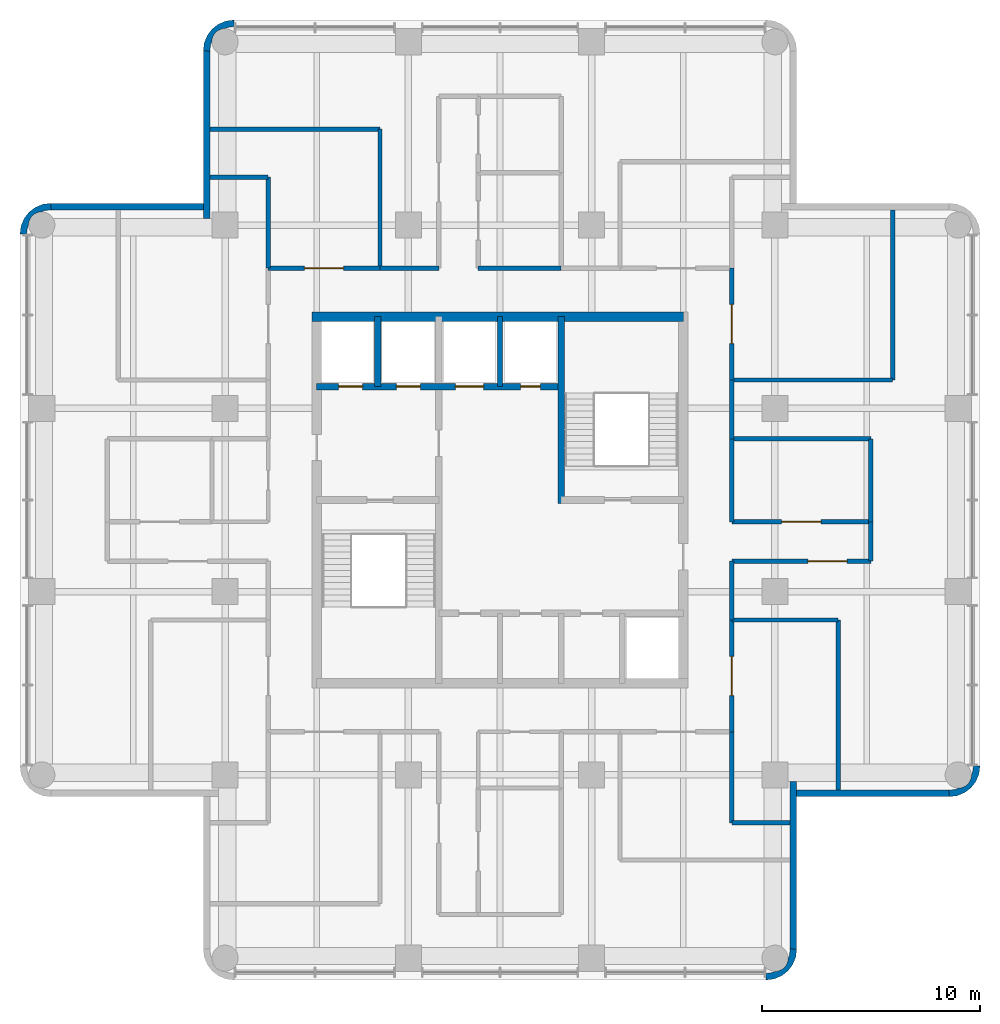
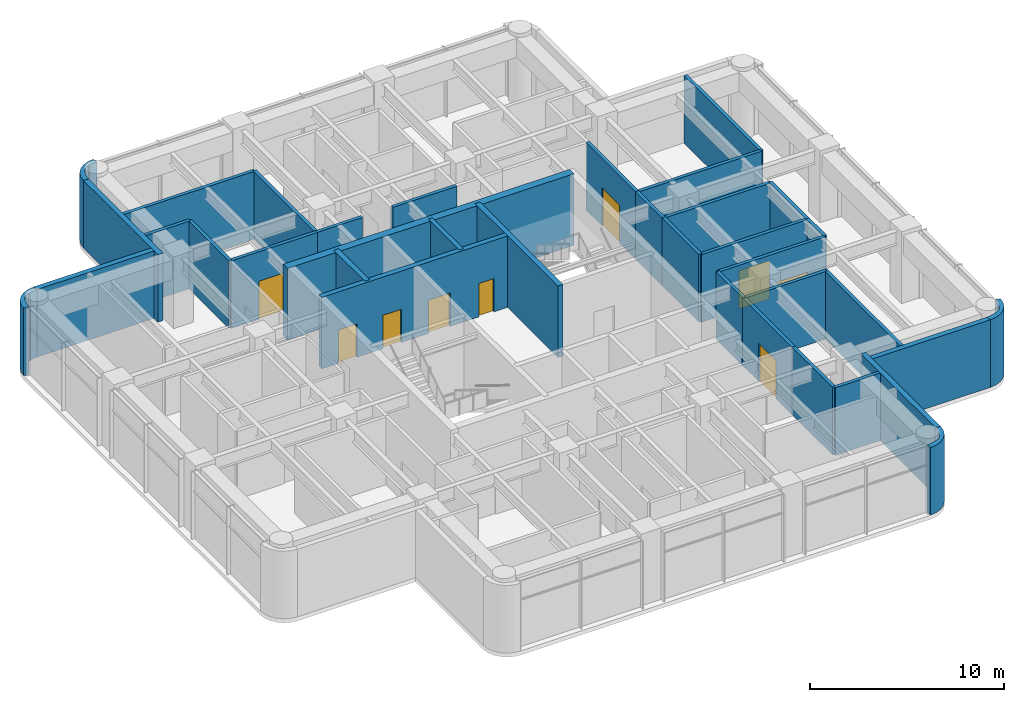
# One storey, part 6 of 8: 36 walls, 9 doors, 9 openings.
"""IFC4 building model written with IfcOpenShell, lengths in metres."""

from ifc_helpers import new_model, si_unit, direction, frame, frame_2d, origin, place, context, subcontext, project, spatial, polyline, rectangle, outline, extrude, material, layer, layer_set, type_object, element, fill, save


model = new_model("IFC4")

# Units and contexts
model_context = context("Model", 3, precision=1e-05, world=origin(), true_north=direction((0.0, 1.0)))
body_context = subcontext(model_context, "Body", "Model", "MODEL_VIEW")
ifc_project = project(units=[si_unit("LENGTHUNIT", "METRE"), si_unit("AREAUNIT", "SQUARE_METRE"), si_unit("VOLUMEUNIT", "CUBIC_METRE"), si_unit("PLANEANGLEUNIT", "RADIAN"), si_unit("MASSUNIT", "GRAM", prefix="KILO")], contexts=[model_context])

# Site, building, storey
site_placement = place(None, origin())
site = spatial("IfcSite", under=ifc_project, at=site_placement, CompositionType="ELEMENT")
building_placement = place(site_placement, origin())
building = spatial("IfcBuilding", under=site, at=building_placement, Name="Torre Alcanfor", CompositionType="ELEMENT")
storey_placement = place(building_placement, frame((0.0, 0.0, 300.89990234375)))
storey = spatial("IfcBuildingStorey", under=building, at=storey_placement, Name="L79", CompositionType="ELEMENT", Elevation=300.89990234375)

# Wall, openings, doors
ifc_material_1 = material(Name="Concrete f'c 70 MPa", Category="concrete")
ifc_layer_1 = layer(ifc_material_1, 0.300048828125)
ifc_layer_set_1 = layer_set([ifc_layer_1], Name="Core inner wall 300 f'c70")
wall_type_1 = type_object("IfcWallType", Name="Core inner wall 300 f'c70", PredefinedType="SHEAR", material=ifc_layer_set_1)
wall_1_placement = place(storey_placement, frame((21.0, 34.60009765625, 0.0), z_axis=(0.0, 0.0, 1.0), x_axis=(1.0, 0.0, 0.0)))
wall_1 = element("IfcWall", 1, at=wall_1_placement, inside=storey, type_object=wall_type_1, Name="Core wall Y346 L79", PredefinedType="SHEAR", context=body_context, shape_type="SweptSolid", body=[
    extrude(rectangle(XDim=11.199951171875, YDim=0.300048828125, at=frame_2d((5.60009765625, 0.0))), origin(), (0.0, 0.0, 1.0), 4.5),
])
opening_1_placement = place(wall_1_placement, frame((9.35009765625, 0.0, 0.0)))
opening_1 = element("IfcOpeningElement", 2, at=opening_1_placement, cuts=wall_1, Name="Opening D-Q1", PredefinedType="OPENING", context=body_context, shape_type="SweptSolid", body=[
    extrude(rectangle(XDim=0.89990234375, YDim=2.10009765625, at=frame_2d((0.449951171875, 1.050048828125))), frame((0.0, 0.159912109375, 0.0), z_axis=(0.0, -1.0, 0.0), x_axis=(1.0, 0.0, 0.0)), (0.0, 0.0, 1.0), 0.320068359375),
])
opening_2_placement = place(wall_1_placement, frame((1.0, 0.0, 0.0)))
opening_2 = element("IfcOpeningElement", 3, at=opening_2_placement, cuts=wall_1, Name="Opening LD2", PredefinedType="OPENING", context=body_context, shape_type="SweptSolid", body=[
    extrude(rectangle(XDim=1.10009765625, YDim=2.10009765625, at=frame_2d((0.550048828125, 1.050048828125))), frame((0.0, 0.159912109375, 0.0), z_axis=(0.0, -1.0, 0.0), x_axis=(1.0, 0.0, 0.0)), (0.0, 0.0, 1.0), 0.320068359375),
])
opening_3_placement = place(wall_1_placement, frame((3.64990234375, 0.0, 0.0)))
opening_3 = element("IfcOpeningElement", 4, at=opening_3_placement, cuts=wall_1, Name="Opening LD2", PredefinedType="OPENING", context=body_context, shape_type="SweptSolid", body=[
    extrude(rectangle(XDim=1.10009765625, YDim=2.10009765625, at=frame_2d((0.550048828125, 1.050048828125))), frame((0.0, 0.159912109375, 0.0), z_axis=(0.0, -1.0, 0.0), x_axis=(1.0, 0.0, 0.0)), (0.0, 0.0, 1.0), 0.320068359375),
])
opening_4_placement = place(wall_1_placement, frame((6.35009765625, 0.0, 0.0)))
opening_4 = element("IfcOpeningElement", 5, at=opening_4_placement, cuts=wall_1, Name="Opening LD3", PredefinedType="OPENING", context=body_context, shape_type="SweptSolid", body=[
    extrude(rectangle(XDim=1.300048828125, YDim=2.10009765625, at=frame_2d((0.64990234375, 1.050048828125))), frame((0.0, 0.159912109375, 0.0), z_axis=(0.0, -1.0, 0.0), x_axis=(1.0, 0.0, 0.0)), (0.0, 0.0, 1.0), 0.320068359375),
])
ifc_material_2 = material(Name="Galvanised steel sheet ASTM A653", Category="steel")
door_type_1 = type_object("IfcDoorType", Name="Firefighting lift landing door 1100x2100", OperationType="DOUBLE_DOOR_SLIDING", PredefinedType="DOOR", material=ifc_material_2)
door_1_placement = place(opening_2_placement, origin())
door_1 = element("IfcDoor", 6, at=door_1_placement, inside=storey, type_object=door_type_1, Name="Lift landing door FL1 L79", OperationType="DOUBLE_DOOR_SLIDING", OverallHeight=2.10009765625, OverallWidth=1.10009765625, PredefinedType="DOOR", context=body_context, shape_type="SweptSolid", body=[
    extrude(rectangle(XDim=1.10009765625, YDim=2.10009765625, at=frame_2d((0.550048828125, 1.050048828125))), frame((0.0, 0.02490234375, 0.0), z_axis=(0.0, -1.0, 0.0), x_axis=(1.0, 0.0, 0.0)), (0.0, 0.0, 1.0), 0.050048828125),
])
fill(opening_2, door_1)
door_2_placement = place(opening_3_placement, origin())
door_2 = element("IfcDoor", 7, at=door_2_placement, inside=storey, type_object=door_type_1, Name="Lift landing door FL2 L79", OperationType="DOUBLE_DOOR_SLIDING", OverallHeight=2.10009765625, OverallWidth=1.10009765625, PredefinedType="DOOR", context=body_context, shape_type="SweptSolid", body=[
    extrude(rectangle(XDim=1.10009765625, YDim=2.10009765625, at=frame_2d((0.550048828125, 1.050048828125))), frame((0.0, 0.02490234375, 0.0), z_axis=(0.0, -1.0, 0.0), x_axis=(1.0, 0.0, 0.0)), (0.0, 0.0, 1.0), 0.050048828125),
])
fill(opening_3, door_2)
ifc_material_3 = material(Name="Galvanised steel sheet ASTM A653", Category="steel")
door_type_2 = type_object("IfcDoorType", Name="Riser access door FD120 900x2100", OperationType="SINGLE_SWING_LEFT", PredefinedType="DOOR", material=ifc_material_3)
door_3_placement = place(opening_1_placement, origin())
door_3 = element("IfcDoor", 8, at=door_3_placement, inside=storey, type_object=door_type_2, Name="Riser door L79", OperationType="SINGLE_SWING_LEFT", OverallHeight=2.10009765625, OverallWidth=0.89990234375, PredefinedType="DOOR", context=body_context, shape_type="SweptSolid", body=[
    extrude(rectangle(XDim=0.89990234375, YDim=2.10009765625, at=frame_2d((0.449951171875, 1.050048828125))), frame((0.0, 0.02490234375, 0.0), z_axis=(0.0, -1.0, 0.0), x_axis=(1.0, 0.0, 0.0)), (0.0, 0.0, 1.0), 0.050048828125),
])
fill(opening_1, door_3)
ifc_material_4 = material(Name="Galvanised steel sheet ASTM A653", Category="steel")
door_type_3 = type_object("IfcDoorType", Name="Service lift landing door 1300x2100", OperationType="DOUBLE_DOOR_SLIDING", PredefinedType="DOOR", material=ifc_material_4)
door_4_placement = place(opening_4_placement, origin())
door_4 = element("IfcDoor", 9, at=door_4_placement, inside=storey, type_object=door_type_3, Name="Lift landing door SL1 L79", OperationType="DOUBLE_DOOR_SLIDING", OverallHeight=2.10009765625, OverallWidth=1.300048828125, PredefinedType="DOOR", context=body_context, shape_type="SweptSolid", body=[
    extrude(rectangle(XDim=1.300048828125, YDim=2.10009765625, at=frame_2d((0.64990234375, 1.050048828125))), frame((0.0, 0.02490234375, 0.0), z_axis=(0.0, -1.0, 0.0), x_axis=(1.0, 0.0, 0.0)), (0.0, 0.0, 1.0), 0.050048828125),
])
fill(opening_4, door_4)

# Walls
wall_2_placement = place(storey_placement, frame((23.800048828125, 34.60009765625, 0.0), z_axis=(0.0, 0.0, 1.0), x_axis=(0.0, 1.0, 0.0)))
element("IfcWall", 10, at=wall_2_placement, inside=storey, type_object=wall_type_1, Name="Core wall X238 L79", PredefinedType="SHEAR", context=body_context, shape_type="SweptSolid", body=[
    extrude(rectangle(XDim=3.199951171875, YDim=0.300048828125, at=frame_2d((1.60009765625, 0.0))), origin(), (0.0, 0.0, 1.0), 4.5),
])
wall_3_placement = place(storey_placement, frame((32.199951171875, 29.25, 0.0), z_axis=(0.0, 0.0, 1.0), x_axis=(0.0, 1.0, 0.0)))
element("IfcWall", 11, at=wall_3_placement, inside=storey, type_object=wall_type_1, Name="Core wall X322N L79", PredefinedType="SHEAR", context=body_context, shape_type="SweptSolid", body=[
    extrude(rectangle(XDim=8.550048828125, YDim=0.300048828125, at=frame_2d((4.27490234375, 0.0))), origin(), (0.0, 0.0, 1.0), 4.5),
])
ifc_material_5 = material(Name="Concrete f'c 70 MPa", Category="concrete")
ifc_layer_2 = layer(ifc_material_5, 0.25)
ifc_layer_set_2 = layer_set([ifc_layer_2], Name="Core shaft wall 250 f'c70")
wall_type_2 = type_object("IfcWallType", Name="Core shaft wall 250 f'c70", PredefinedType="SHEAR", material=ifc_layer_set_2)
wall_4_placement = place(storey_placement, frame((29.39990234375, 34.60009765625, 0.0), z_axis=(0.0, 0.0, 1.0), x_axis=(0.0, 1.0, 0.0)))
element("IfcWall", 12, at=wall_4_placement, inside=storey, type_object=wall_type_2, Name="Core wall X294N L79", PredefinedType="SHEAR", context=body_context, shape_type="SweptSolid", body=[
    extrude(rectangle(XDim=3.199951171875, YDim=0.25, at=frame_2d((1.60009765625, 0.0))), origin(), (0.0, 0.0, 1.0), 4.5),
])
ifc_material_6 = material(Name="Concrete f'c 70 MPa", Category="concrete")
ifc_layer_3 = layer(ifc_material_6, 0.449951171875)
ifc_layer_set_3 = layer_set([ifc_layer_3], Name="Core wall 450 f'c70")
wall_type_3 = type_object("IfcWallType", Name="Core wall 450 f'c70", PredefinedType="SHEAR", material=ifc_layer_set_3)
wall_5_placement = place(storey_placement, frame((37.800048828125, 37.800048828125, 0.0), z_axis=(0.0, 0.0, 1.0), x_axis=(-1.0, 0.0, 0.0)))
element("IfcWall", 13, at=wall_5_placement, inside=storey, type_object=wall_type_3, Name="Core wall OUT-N L79", PredefinedType="SHEAR", context=body_context, shape_type="SweptSolid", body=[
    extrude(rectangle(XDim=17.025146484375, YDim=0.449951171875, at=frame_2d((8.5126953125, 0.0))), origin(), (0.0, 0.0, 1.0), 4.5),
])
ifc_material_7 = material(Name="Limestone cladding", Category="masonry")
ifc_layer_4 = layer(ifc_material_7, 0.0400390625, Name="Facing")
ifc_material_8 = material(Name="Ventilated air cavity")
ifc_layer_5 = layer(ifc_material_8, 0.02001953125, ventilated=True, Name="Ventilated joint")
ifc_material_9 = material(Name="Mineral wool insulation", Category="insulation")
ifc_layer_6 = layer(ifc_material_9, 0.10009765625, Name="Insulation")
ifc_material_10 = material(Name="Concrete f'c 35 MPa", Category="concrete")
ifc_layer_7 = layer(ifc_material_10, 0.139892578125, Name="Backing")
ifc_layer_set_4 = layer_set([ifc_layer_4, ifc_layer_5, ifc_layer_6, ifc_layer_7], Name="External wall stone-clad 300")
wall_type_4 = type_object("IfcWallType", Name="External wall stone-clad 300", PredefinedType="SOLIDWALL", material=ifc_layer_set_4)
wall_6_placement = place(storey_placement, frame((15.800048828125, 42.85009765625, 0.0), z_axis=(0.0, 0.0, 1.0), x_axis=(-1.0, 0.0, 0.0)))
element("IfcWall", 14, at=wall_6_placement, inside=storey, type_object=wall_type_4, Name="External wall L79 1", PredefinedType="SOLIDWALL", context=body_context, shape_type="SweptSolid", body=[
    extrude(rectangle(XDim=7.0, YDim=0.300048828125, at=frame_2d((3.5, 0.0))), origin(), (0.0, 0.0, 1.0), 4.25),
])
wall_7_placement = place(storey_placement, frame((42.85009765625, 8.800048828125, 0.0), z_axis=(0.0, 0.0, 1.0), x_axis=(0.0, 1.0, 0.0)))
element("IfcWall", 15, at=wall_7_placement, inside=storey, type_object=wall_type_4, Name="External wall L79 6", PredefinedType="SOLIDWALL", context=body_context, shape_type="SweptSolid", body=[
    extrude(rectangle(XDim=7.699951171875, YDim=0.300048828125, at=frame_2d((3.85009765625, 0.0))), origin(), (0.0, 0.0, 1.0), 4.25),
])
wall_8_placement = place(storey_placement, frame((43.0, 15.949951171875, 0.0), z_axis=(0.0, 0.0, 1.0), x_axis=(1.0, 0.0, 0.0)))
element("IfcWall", 16, at=wall_8_placement, inside=storey, type_object=wall_type_4, Name="External wall L79 7", PredefinedType="SOLIDWALL", context=body_context, shape_type="SweptSolid", body=[
    extrude(rectangle(XDim=7.0, YDim=0.300048828125, at=frame_2d((3.5, 0.0))), origin(), (0.0, 0.0, 1.0), 4.25),
])
wall_9_placement = place(storey_placement, frame((15.949951171875, 50.0, 0.0), z_axis=(0.0, 0.0, 1.0), x_axis=(0.0, -1.0, 0.0)))
element("IfcWall", 17, at=wall_9_placement, inside=storey, type_object=wall_type_4, Name="External wall L79 12", PredefinedType="SOLIDWALL", context=body_context, shape_type="SweptSolid", body=[
    extrude(rectangle(XDim=7.699951171875, YDim=0.300048828125, at=frame_2d((3.85009765625, 0.0))), origin(), (0.0, 0.0, 1.0), 4.25),
])

# Wall, opening, door
ifc_material_11 = material(Name="Concrete block masonry, hollow blocks NMX-C-404 9 MPa", Category="masonry")
ifc_layer_8 = layer(ifc_material_11, 0.199951171875)
ifc_layer_set_5 = layer_set([ifc_layer_8], Name="Plant room wall 200 EI 60")
wall_type_5 = type_object("IfcWallType", Name="Plant room wall 200 EI 60", PredefinedType="PARTITIONING", material=ifc_layer_set_5)
wall_10_placement = place(storey_placement, frame((18.77490234375, 40.02490234375, 0.0), z_axis=(0.0, 0.0, 1.0), x_axis=(1.0, 0.0, 0.0)))
wall_10 = element("IfcWall", 18, at=wall_10_placement, inside=storey, type_object=wall_type_5, Name="Partition L79-CORR / L79-N1", PredefinedType="PARTITIONING", context=body_context, shape_type="SweptSolid", body=[
    extrude(rectangle(XDim=5.125, YDim=0.199951171875, at=frame_2d((2.5625, 0.0))), origin(), (0.0, 0.0, 1.0), 4.25),
])
opening_5_placement = place(wall_10_placement, frame((1.66259765625, 0.0, 0.0)))
opening_5 = element("IfcOpeningElement", 19, at=opening_5_placement, cuts=wall_10, Name="Opening D-P1", PredefinedType="OPENING", context=body_context, shape_type="SweptSolid", body=[
    extrude(rectangle(XDim=1.800048828125, YDim=2.39990234375, at=frame_2d((0.89990234375, 1.199951171875))), frame((0.0, 0.10986328125, 0.0), z_axis=(0.0, -1.0, 0.0), x_axis=(1.0, 0.0, 0.0)), (0.0, 0.0, 1.0), 0.219970703125),
])
ifc_material_12 = material(Name="Galvanised steel sheet ASTM A653", Category="steel")
door_type_4 = type_object("IfcDoorType", Name="Plant room door FD60 1800x2400", OperationType="DOUBLE_DOOR_SINGLE_SWING", PredefinedType="DOOR", material=ifc_material_12)
door_5_placement = place(opening_5_placement, origin())
door_5 = element("IfcDoor", 20, at=door_5_placement, inside=storey, type_object=door_type_4, Name="Door L79-N1 chilled water primary pump room", OperationType="DOUBLE_DOOR_SINGLE_SWING", OverallHeight=2.39990234375, OverallWidth=1.800048828125, PredefinedType="DOOR", context=body_context, shape_type="SweptSolid", body=[
    extrude(rectangle(XDim=1.800048828125, YDim=2.39990234375, at=frame_2d((0.89990234375, 1.199951171875))), frame((0.0, 0.02490234375, 0.0), z_axis=(0.0, -1.0, 0.0), x_axis=(1.0, 0.0, 0.0)), (0.0, 0.0, 1.0), 0.050048828125),
])
fill(opening_5, door_5)

# Walls
wall_11_placement = place(storey_placement, frame((28.39990234375, 40.02490234375, 0.0), z_axis=(0.0, 0.0, 1.0), x_axis=(1.0, 0.0, 0.0)))
element("IfcWall", 21, at=wall_11_placement, inside=storey, type_object=wall_type_5, Name="Partition L79-CORR / L79-N3", PredefinedType="PARTITIONING", context=body_context, shape_type="SweptSolid", body=[
    extrude(rectangle(XDim=3.800048828125, YDim=0.199951171875, at=frame_2d((1.89990234375, 0.0))), origin(), (0.0, 0.0, 1.0), 4.25),
])
wall_12_placement = place(storey_placement, frame((23.89990234375, 40.02490234375, 0.0), z_axis=(0.0, 0.0, 1.0), x_axis=(1.0, 0.0, 0.0)))
element("IfcWall", 22, at=wall_12_placement, inside=storey, type_object=wall_type_5, Name="Partition L79-CORR / L79-NH", PredefinedType="PARTITIONING", context=body_context, shape_type="SweptSolid", body=[
    extrude(rectangle(XDim=2.7001953125, YDim=0.199951171875, at=frame_2d((1.35009765625, 0.0))), origin(), (0.0, 0.0, 1.0), 4.25),
])

# Wall, opening, door
wall_13_placement = place(storey_placement, frame((40.02490234375, 23.89990234375, 0.0), z_axis=(0.0, 0.0, 1.0), x_axis=(0.0, -1.0, 0.0)))
wall_13 = element("IfcWall", 23, at=wall_13_placement, inside=storey, type_object=wall_type_5, Name="Partition L79-CORR / L79-E1", PredefinedType="PARTITIONING", context=body_context, shape_type="SweptSolid", body=[
    extrude(rectangle(XDim=5.125, YDim=0.199951171875, at=frame_2d((2.5625, 0.0))), origin(), (0.0, 0.0, 1.0), 4.25),
])
opening_6_placement = place(wall_13_placement, frame((1.66259765625, 0.0, 0.0)))
opening_6 = element("IfcOpeningElement", 24, at=opening_6_placement, cuts=wall_13, Name="Opening D-P1", PredefinedType="OPENING", context=body_context, shape_type="SweptSolid", body=[
    extrude(rectangle(XDim=1.800048828125, YDim=2.39990234375, at=frame_2d((0.89990234375, 1.199951171875))), frame((0.0, 0.10986328125, 0.0), z_axis=(0.0, -1.0, 0.0), x_axis=(1.0, 0.0, 0.0)), (0.0, 0.0, 1.0), 0.219970703125),
])
door_6_placement = place(opening_6_placement, origin())
door_6 = element("IfcDoor", 25, at=door_6_placement, inside=storey, type_object=door_type_4, Name="Door L79-E1 chilled water secondary pump room", OperationType="DOUBLE_DOOR_SINGLE_SWING", OverallHeight=2.39990234375, OverallWidth=1.800048828125, PredefinedType="DOOR", context=body_context, shape_type="SweptSolid", body=[
    extrude(rectangle(XDim=1.800048828125, YDim=2.39990234375, at=frame_2d((0.89990234375, 1.199951171875))), frame((0.0, 0.02490234375, 0.0), z_axis=(0.0, -1.0, 0.0), x_axis=(1.0, 0.0, 0.0)), (0.0, 0.0, 1.0), 0.050048828125),
])
fill(opening_6, door_6)

wall_14_placement = place(storey_placement, frame((40.02490234375, 40.02490234375, 0.0), z_axis=(0.0, 0.0, 1.0), x_axis=(0.0, -1.0, 0.0)))
wall_14 = element("IfcWall", 26, at=wall_14_placement, inside=storey, type_object=wall_type_5, Name="Partition L79-CORR / L79-E2", PredefinedType="PARTITIONING", context=body_context, shape_type="SweptSolid", body=[
    extrude(rectangle(XDim=5.125, YDim=0.199951171875, at=frame_2d((2.5625, 0.0))), origin(), (0.0, 0.0, 1.0), 4.25),
])
opening_7_placement = place(wall_14_placement, frame((1.66259765625, 0.0, 0.0)))
opening_7 = element("IfcOpeningElement", 27, at=opening_7_placement, cuts=wall_14, Name="Opening D-P1", PredefinedType="OPENING", context=body_context, shape_type="SweptSolid", body=[
    extrude(rectangle(XDim=1.800048828125, YDim=2.39990234375, at=frame_2d((0.89990234375, 1.199951171875))), frame((0.0, 0.10986328125, 0.0), z_axis=(0.0, -1.0, 0.0), x_axis=(1.0, 0.0, 0.0)), (0.0, 0.0, 1.0), 0.219970703125),
])
door_7_placement = place(opening_7_placement, origin())
door_7 = element("IfcDoor", 28, at=door_7_placement, inside=storey, type_object=door_type_4, Name="Door L79-E2 water treatment plant room", OperationType="DOUBLE_DOOR_SINGLE_SWING", OverallHeight=2.39990234375, OverallWidth=1.800048828125, PredefinedType="DOOR", context=body_context, shape_type="SweptSolid", body=[
    extrude(rectangle(XDim=1.800048828125, YDim=2.39990234375, at=frame_2d((0.89990234375, 1.199951171875))), frame((0.0, 0.02490234375, 0.0), z_axis=(0.0, -1.0, 0.0), x_axis=(1.0, 0.0, 0.0)), (0.0, 0.0, 1.0), 0.050048828125),
])
fill(opening_7, door_7)

# Walls
wall_15_placement = place(storey_placement, frame((40.02490234375, 32.199951171875, 0.0), z_axis=(0.0, 0.0, 1.0), x_axis=(0.0, -1.0, 0.0)))
element("IfcWall", 29, at=wall_15_placement, inside=storey, type_object=wall_type_5, Name="Partition L79-CORR / L79-E3", PredefinedType="PARTITIONING", context=body_context, shape_type="SweptSolid", body=[
    extrude(rectangle(XDim=3.800048828125, YDim=0.199951171875, at=frame_2d((1.89990234375, 0.0))), origin(), (0.0, 0.0, 1.0), 4.25),
])
wall_16_placement = place(storey_placement, frame((40.02490234375, 26.60009765625, 0.0), z_axis=(0.0, 0.0, 1.0), x_axis=(0.0, -1.0, 0.0)))
element("IfcWall", 30, at=wall_16_placement, inside=storey, type_object=wall_type_5, Name="Partition L79-CORR / L79-EH", PredefinedType="PARTITIONING", context=body_context, shape_type="SweptSolid", body=[
    extrude(rectangle(XDim=2.7001953125, YDim=0.199951171875, at=frame_2d((1.35009765625, 0.0))), origin(), (0.0, 0.0, 1.0), 4.25),
])
wall_17_placement = place(storey_placement, frame((40.02490234375, 34.89990234375, 0.0), z_axis=(0.0, 0.0, 1.0), x_axis=(0.0, -1.0, 0.0)))
element("IfcWall", 31, at=wall_17_placement, inside=storey, type_object=wall_type_5, Name="Partition L79-CORR / L79-EH", PredefinedType="PARTITIONING", context=body_context, shape_type="SweptSolid", body=[
    extrude(rectangle(XDim=2.699951171875, YDim=0.199951171875, at=frame_2d((1.35009765625, 0.0))), origin(), (0.0, 0.0, 1.0), 4.25),
])
wall_18_placement = place(storey_placement, frame((16.10009765625, 46.39990234375, 0.0), z_axis=(0.0, 0.0, 1.0), x_axis=(1.0, 0.0, 0.0)))
element("IfcWall", 32, at=wall_18_placement, inside=storey, type_object=wall_type_5, Name="Partition L79-N1 / L79-NH", PredefinedType="PARTITIONING", context=body_context, shape_type="SweptSolid", body=[
    extrude(rectangle(XDim=7.7998046875, YDim=0.199951171875, at=frame_2d((3.89990234375, 0.0))), origin(), (0.0, 0.0, 1.0), 4.25),
])
wall_19_placement = place(storey_placement, frame((23.89990234375, 46.39990234375, 0.0), z_axis=(0.0, 0.0, 1.0), x_axis=(0.0, -1.0, 0.0)))
element("IfcWall", 33, at=wall_19_placement, inside=storey, type_object=wall_type_5, Name="Partition L79-N1 / L79-NH", PredefinedType="PARTITIONING", context=body_context, shape_type="SweptSolid", body=[
    extrude(rectangle(XDim=6.375, YDim=0.199951171875, at=frame_2d((3.1875, 0.0))), origin(), (0.0, 0.0, 1.0), 4.25),
])
wall_20_placement = place(storey_placement, frame((18.77490234375, 40.02490234375, 0.0), z_axis=(0.0, 0.0, 1.0), x_axis=(0.0, 1.0, 0.0)))
element("IfcWall", 34, at=wall_20_placement, inside=storey, type_object=wall_type_5, Name="Partition L79-N1 / L79-W2", PredefinedType="PARTITIONING", context=body_context, shape_type="SweptSolid", body=[
    extrude(rectangle(XDim=4.175048828125, YDim=0.199951171875, at=frame_2d((2.08740234375, 0.0))), origin(), (0.0, 0.0, 1.0), 4.25),
])
wall_21_placement = place(storey_placement, frame((18.77490234375, 44.199951171875, 0.0), z_axis=(0.0, 0.0, 1.0), x_axis=(-1.0, 0.0, 0.0)))
element("IfcWall", 35, at=wall_21_placement, inside=storey, type_object=wall_type_5, Name="Partition L79-N1 / L79-W2", PredefinedType="PARTITIONING", context=body_context, shape_type="SweptSolid", body=[
    extrude(rectangle(XDim=2.6748046875, YDim=0.199951171875, at=frame_2d((1.33740234375, 0.0))), origin(), (0.0, 0.0, 1.0), 4.25),
])
wall_22_placement = place(storey_placement, frame((40.02490234375, 23.89990234375, 0.0), z_axis=(0.0, 0.0, 1.0), x_axis=(1.0, 0.0, 0.0)))
element("IfcWall", 36, at=wall_22_placement, inside=storey, type_object=wall_type_5, Name="Partition L79-E1 / L79-EH", PredefinedType="PARTITIONING", context=body_context, shape_type="SweptSolid", body=[
    extrude(rectangle(XDim=4.875, YDim=0.199951171875, at=frame_2d((2.4375, 0.0))), origin(), (0.0, 0.0, 1.0), 4.25),
])
wall_23_placement = place(storey_placement, frame((44.89990234375, 23.89990234375, 0.0), z_axis=(0.0, 0.0, 1.0), x_axis=(0.0, -1.0, 0.0)))
element("IfcWall", 37, at=wall_23_placement, inside=storey, type_object=wall_type_5, Name="Partition L79-E1 / L79-EH", PredefinedType="PARTITIONING", context=body_context, shape_type="SweptSolid", body=[
    extrude(rectangle(XDim=7.7998046875, YDim=0.199951171875, at=frame_2d((3.89990234375, 0.0))), origin(), (0.0, 0.0, 1.0), 4.25),
])
wall_24_placement = place(storey_placement, frame((42.699951171875, 14.60009765625, 0.0), z_axis=(0.0, 0.0, 1.0), x_axis=(-1.0, 0.0, 0.0)))
element("IfcWall", 38, at=wall_24_placement, inside=storey, type_object=wall_type_5, Name="Partition L79-E1 / L79-S2", PredefinedType="PARTITIONING", context=body_context, shape_type="SweptSolid", body=[
    extrude(rectangle(XDim=2.675048828125, YDim=0.199951171875, at=frame_2d((1.33740234375, 0.0))), origin(), (0.0, 0.0, 1.0), 4.25),
])
wall_25_placement = place(storey_placement, frame((40.02490234375, 14.60009765625, 0.0), z_axis=(0.0, 0.0, 1.0), x_axis=(0.0, 1.0, 0.0)))
element("IfcWall", 39, at=wall_25_placement, inside=storey, type_object=wall_type_5, Name="Partition L79-E1 / L79-S2", PredefinedType="PARTITIONING", context=body_context, shape_type="SweptSolid", body=[
    extrude(rectangle(XDim=4.1748046875, YDim=0.199951171875, at=frame_2d((2.08740234375, 0.0))), origin(), (0.0, 0.0, 1.0), 4.25),
])
wall_26_placement = place(storey_placement, frame((47.39990234375, 42.699951171875, 0.0), z_axis=(0.0, 0.0, 1.0), x_axis=(0.0, -1.0, 0.0)))
element("IfcWall", 40, at=wall_26_placement, inside=storey, type_object=wall_type_5, Name="Partition L79-E2 / L79-EH", PredefinedType="PARTITIONING", context=body_context, shape_type="SweptSolid", body=[
    extrude(rectangle(XDim=7.800048828125, YDim=0.199951171875, at=frame_2d((3.89990234375, 0.0))), origin(), (0.0, 0.0, 1.0), 4.25),
])
wall_27_placement = place(storey_placement, frame((47.39990234375, 34.89990234375, 0.0), z_axis=(0.0, 0.0, 1.0), x_axis=(-1.0, 0.0, 0.0)))
element("IfcWall", 41, at=wall_27_placement, inside=storey, type_object=wall_type_5, Name="Partition L79-E2 / L79-EH", PredefinedType="PARTITIONING", context=body_context, shape_type="SweptSolid", body=[
    extrude(rectangle(XDim=7.375, YDim=0.199951171875, at=frame_2d((3.6875, 0.0))), origin(), (0.0, 0.0, 1.0), 4.25),
])

# Wall, opening, door
wall_28_placement = place(storey_placement, frame((40.02490234375, 28.39990234375, 0.0), z_axis=(0.0, 0.0, 1.0), x_axis=(1.0, 0.0, 0.0)))
wall_28 = element("IfcWall", 42, at=wall_28_placement, inside=storey, type_object=wall_type_5, Name="Partition L79-EC / L79-E3", PredefinedType="PARTITIONING", context=body_context, shape_type="SweptSolid", body=[
    extrude(rectangle(XDim=6.375, YDim=0.199951171875, at=frame_2d((3.1875, 0.0))), origin(), (0.0, 0.0, 1.0), 4.25),
])
opening_8_placement = place(wall_28_placement, frame((2.28759765625, 0.0, 0.0)))
opening_8 = element("IfcOpeningElement", 43, at=opening_8_placement, cuts=wall_28, Name="Opening D-P1", PredefinedType="OPENING", context=body_context, shape_type="SweptSolid", body=[
    extrude(rectangle(XDim=1.800048828125, YDim=2.39990234375, at=frame_2d((0.89990234375, 1.199951171875))), frame((0.0, 0.10986328125, 0.0), z_axis=(0.0, -1.0, 0.0), x_axis=(1.0, 0.0, 0.0)), (0.0, 0.0, 1.0), 0.219970703125),
])
door_8_placement = place(opening_8_placement, origin())
door_8 = element("IfcDoor", 44, at=door_8_placement, inside=storey, type_object=door_type_4, Name="Door L79-E3 bms and communications room", OperationType="DOUBLE_DOOR_SINGLE_SWING", OverallHeight=2.39990234375, OverallWidth=1.800048828125, PredefinedType="DOOR", context=body_context, shape_type="SweptSolid", body=[
    extrude(rectangle(XDim=1.800048828125, YDim=2.39990234375, at=frame_2d((0.89990234375, 1.199951171875))), frame((0.0, 0.02490234375, 0.0), z_axis=(0.0, -1.0, 0.0), x_axis=(1.0, 0.0, 0.0)), (0.0, 0.0, 1.0), 0.050048828125),
])
fill(opening_8, door_8)

# Wall
wall_29_placement = place(storey_placement, frame((46.39990234375, 28.39990234375, 0.0), z_axis=(0.0, 0.0, 1.0), x_axis=(0.0, -1.0, 0.0)))
element("IfcWall", 45, at=wall_29_placement, inside=storey, type_object=wall_type_5, Name="Partition L79-EC / L79-EH", PredefinedType="PARTITIONING", context=body_context, shape_type="SweptSolid", body=[
    extrude(rectangle(XDim=1.7998046875, YDim=0.199951171875, at=frame_2d((0.89990234375, 0.0))), origin(), (0.0, 0.0, 1.0), 4.25),
])

# Wall, opening, door
wall_30_placement = place(storey_placement, frame((46.39990234375, 26.60009765625, 0.0), z_axis=(0.0, 0.0, 1.0), x_axis=(-1.0, 0.0, 0.0)))
wall_30 = element("IfcWall", 46, at=wall_30_placement, inside=storey, type_object=wall_type_5, Name="Partition L79-EC / L79-EH", PredefinedType="PARTITIONING", context=body_context, shape_type="SweptSolid", body=[
    extrude(rectangle(XDim=6.375, YDim=0.199951171875, at=frame_2d((3.1875, 0.0))), origin(), (0.0, 0.0, 1.0), 4.25),
])
opening_9_placement = place(wall_30_placement, frame((1.08740234375, 0.0, 0.0)))
opening_9 = element("IfcOpeningElement", 47, at=opening_9_placement, cuts=wall_30, Name="Opening D-P1", PredefinedType="OPENING", context=body_context, shape_type="SweptSolid", body=[
    extrude(rectangle(XDim=1.800048828125, YDim=2.39990234375, at=frame_2d((0.89990234375, 1.199951171875))), frame((0.0, 0.10986328125, 0.0), z_axis=(0.0, -1.0, 0.0), x_axis=(1.0, 0.0, 0.0)), (0.0, 0.0, 1.0), 0.219970703125),
])
door_9_placement = place(opening_9_placement, origin())
door_9 = element("IfcDoor", 48, at=door_9_placement, inside=storey, type_object=door_type_4, Name="Door L79-EH chiller plant room", OperationType="DOUBLE_DOOR_SINGLE_SWING", OverallHeight=2.39990234375, OverallWidth=1.800048828125, PredefinedType="DOOR", context=body_context, shape_type="SweptSolid", body=[
    extrude(rectangle(XDim=1.800048828125, YDim=2.39990234375, at=frame_2d((0.89990234375, 1.199951171875))), frame((0.0, 0.02490234375, 0.0), z_axis=(0.0, -1.0, 0.0), x_axis=(1.0, 0.0, 0.0)), (0.0, 0.0, 1.0), 0.050048828125),
])
fill(opening_9, door_9)

# Walls
wall_31_placement = place(storey_placement, frame((40.02490234375, 32.199951171875, 0.0), z_axis=(0.0, 0.0, 1.0), x_axis=(1.0, 0.0, 0.0)))
element("IfcWall", 49, at=wall_31_placement, inside=storey, type_object=wall_type_5, Name="Partition L79-E3 / L79-EH", PredefinedType="PARTITIONING", context=body_context, shape_type="SweptSolid", body=[
    extrude(rectangle(XDim=6.375, YDim=0.199951171875, at=frame_2d((3.1875, 0.0))), origin(), (0.0, 0.0, 1.0), 4.25),
])
wall_32_placement = place(storey_placement, frame((46.39990234375, 32.199951171875, 0.0), z_axis=(0.0, 0.0, 1.0), x_axis=(0.0, -1.0, 0.0)))
element("IfcWall", 50, at=wall_32_placement, inside=storey, type_object=wall_type_5, Name="Partition L79-E3 / L79-EH", PredefinedType="PARTITIONING", context=body_context, shape_type="SweptSolid", body=[
    extrude(rectangle(XDim=3.800048828125, YDim=0.199951171875, at=frame_2d((1.89990234375, 0.0))), origin(), (0.0, 0.0, 1.0), 4.25),
])
ifc_layer_9 = layer(ifc_material_7, 0.0400390625, Name="Facing")
ifc_layer_10 = layer(ifc_material_8, 0.02001953125, ventilated=True, Name="Ventilated joint")
ifc_layer_11 = layer(ifc_material_9, 0.10009765625, Name="Insulation")
ifc_layer_12 = layer(ifc_material_10, 0.139892578125, Name="Backing")
ifc_layer_set_6 = layer_set([ifc_layer_9, ifc_layer_10, ifc_layer_11, ifc_layer_12], Name="Rounded corner pier stone-clad 300")
wall_type_6 = type_object("IfcWallType", Name="Rounded corner pier stone-clad 300", PredefinedType="SOLIDWALL", material=ifc_layer_set_6)
wall_33_placement = place(storey_placement, frame((8.761581746, 42.575898117, 0.0), z_axis=(0.0, 0.0, 1.0), x_axis=(-0.707106781187, 0.707106781187, 0.0)))
element("IfcWall", 51, at=wall_33_placement, inside=storey, type_object=wall_type_6, Name="Corner pier L79 13", PredefinedType="SOLIDWALL", context=body_context, shape_type="SweptSolid", body=[
    extrude(outline(polyline([(0.23297927971509194, 0.11416555226925892), (0.04670774238592084, -0.12872977027211618), (0.032551796082869844, -0.1428857165751672), (0.27268498276023495, -0.32708565200633083), (0.49520955330453675, -0.03723401977678656), (0.6350426814200405, 0.3004370895984301), (0.6826895250742122, 0.6629674217497361), (0.6350426814200405, 1.025152486918041), (0.49520955330453664, 1.3628235962932576), (0.27285761625173566, 1.6528478620143026), (0.032724429574370495, 1.468647926583139), (0.0467077423859209, 1.4546646137715884), (0.23315191320659262, 1.2115966577387127), (0.29219256729980525, 1.0690013937591991), (0.3577932940700416, 1.0034006669889626), (0.44946167805687187, 0.7826024313596671), (0.44946167805687187, 0.5433324121398051), (0.3579659275615422, 0.322361543019009), (0.29219256729980525, 0.256588182757272), (0.23297927971509194, 0.11416555226925892)])), origin(), (0.0, 0.0, 1.0), 4.25),
])
wall_34_placement = place(storey_placement, frame((41.638418254, 7.824101883, 0.0), z_axis=(0.0, 0.0, 1.0), x_axis=(0.707106781187, -0.707106781187, 0.0)))
element("IfcWall", 52, at=wall_34_placement, inside=storey, type_object=wall_type_6, Name="Corner pier L79 16", PredefinedType="SOLIDWALL", context=body_context, shape_type="SweptSolid", body=[
    extrude(outline(polyline([(0.0325517960828704, 1.468682453281438), (0.04670774238592146, 1.4545265069783868), (0.23297927971509252, 1.2116311844370118), (0.29219256729980597, 1.0692085539489986), (0.35796592756154294, 1.0034351936872616), (0.44946167805687254, 0.7824643245664655), (0.44946167805687254, 0.5431943053466035), (0.3577932940700423, 0.322396069717308), (0.2921925672998059, 0.2567953429470716), (0.23315191320659318, 0.1142000789675579), (0.046707742385921465, -0.12886787706531783), (0.03272442957437109, -0.14285118987686818), (0.2728576162517362, -0.3270511253080318), (0.4952095533045373, -0.03702685958698693), (0.6350426814200412, 0.3006442497882296), (0.6826895250742129, 0.6628293149565345), (0.635042681420041, 1.0253596471078406), (0.49520955330453736, 1.3630307564830573), (0.2726849827602357, 1.6528823887126016), (0.0325517960828704, 1.468682453281438)])), origin(), (0.0, 0.0, 1.0), 4.25),
])
wall_35_placement = place(storey_placement, frame((50.038418254, 16.224101883, 0.0), z_axis=(0.0, 0.0, 1.0), x_axis=(0.707106781187, -0.707106781187, 0.0)))
element("IfcWall", 53, at=wall_35_placement, inside=storey, type_object=wall_type_6, Name="Corner pier L79 17", PredefinedType="SOLIDWALL", context=body_context, shape_type="SweptSolid", body=[
    extrude(outline(polyline([(0.046707742385922124, 1.454733667168189), (0.23315191320659384, 1.2116657111353133), (0.29219256729980647, 1.0690704471557995), (0.35796592756154344, 1.0032970868940625), (0.44928904456537255, 0.782498851264767), (0.44946167805687315, 0.5434014655364057), (0.3579659275615435, 0.3224305964156095), (0.2921925672998065, 0.25665723615387254), (0.2331519132065938, 0.11406197217435879), (0.046535108894421466, -0.1288333503670163), (0.032551796082871086, -0.14281666317856667), (0.2726849827602362, -0.3270165986097303), (0.495209553304538, -0.03716496638018607), (0.6350426814200417, 0.30050614299503053), (0.6826895250742134, 0.6630364751463366), (0.6350426814200417, 1.0252215403146416), (0.495209553304538, 1.3628926496898581), (0.27268498276023634, 1.6527442819194023), (0.032724429574371716, 1.4687169799797393), (0.046707742385922124, 1.454733667168189)])), origin(), (0.0, 0.0, 1.0), 4.25),
])
wall_36_placement = place(storey_placement, frame((17.161581746, 50.975898117, 0.0), z_axis=(0.0, 0.0, 1.0), x_axis=(-0.707106781187, 0.707106781187, 0.0)))
element("IfcWall", 54, at=wall_36_placement, inside=storey, type_object=wall_type_6, Name="Corner pier L79 20", PredefinedType="SOLIDWALL", context=body_context, shape_type="SweptSolid", body=[
    extrude(outline(polyline([(0.04670774238592209, -0.12893693046191768), (0.03272442957437171, -0.14292024327346806), (0.2726849827602362, -0.3269475452131311), (0.495209553304538, -0.03709591298358683), (0.6350426814200417, 0.3005751963916298), (0.6826895250742134, 0.6627602615599347), (0.6350426814200417, 1.0252905937112406), (0.495209553304538, 1.3629617030864574), (0.2726849827602362, 1.6528133353160017), (0.032551796082871065, 1.468613399884838), (0.04653510889442147, 1.4546300870732876), (0.23315191320659384, 1.2117347645319125), (0.2921925672998066, 1.069139500552399), (0.35796592756154355, 1.003366140290662), (0.44946167805687315, 0.7823952711698656), (0.44928904456537255, 0.5432978854415043), (0.3579659275615435, 0.32249964981220874), (0.2921925672998065, 0.2567262895504718), (0.2331519132065938, 0.11413102557095803), (0.04670774238592209, -0.12893693046191768)])), origin(), (0.0, 0.0, 1.0), 4.25),
])

save(model, "model.ifc")
